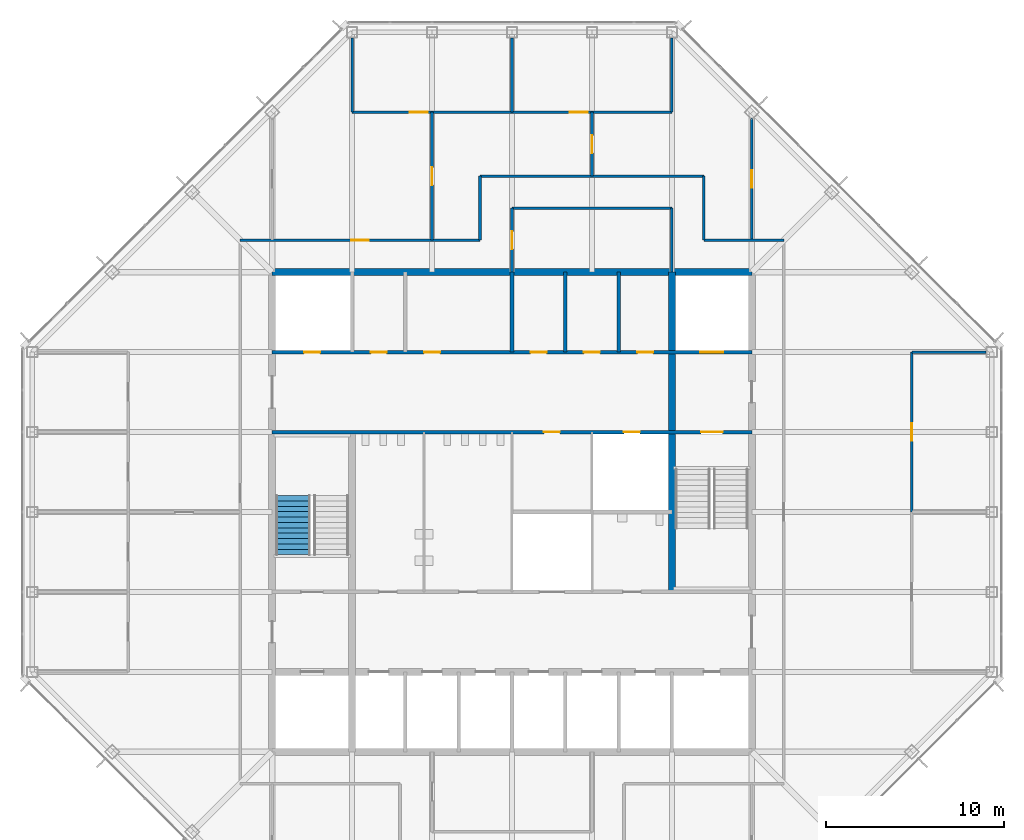
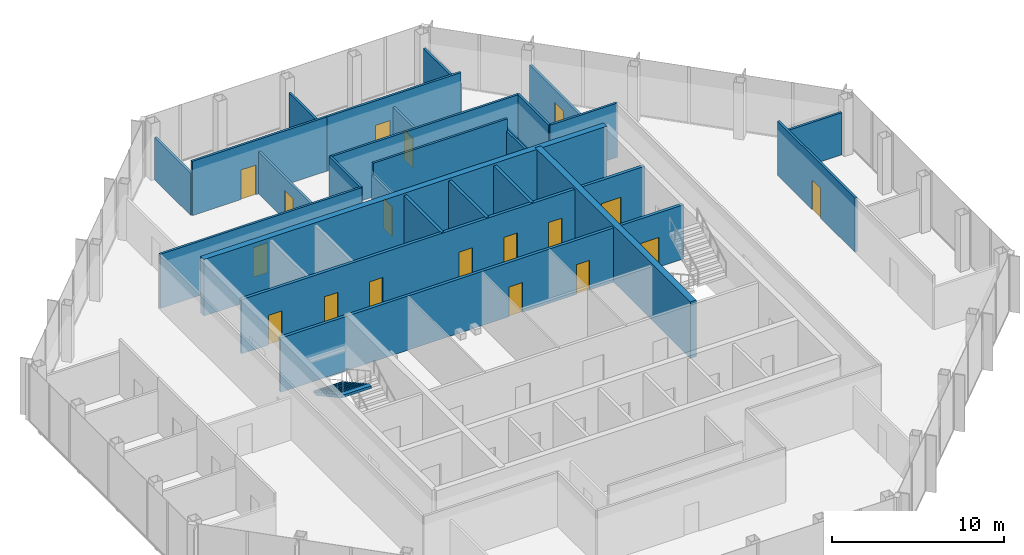
# One storey, part 11 of 14: 25 walls, 18 doors, 1 stair flight, 18 openings, 1 element without a shape of its own.
"""IFC4 building model written with IfcOpenShell, lengths in metres."""

from ifc_helpers import new_model, si_unit, direction, frame, frame_2d, origin, place, context, subcontext, project, spatial, polyline, rectangle, outline, extrude, material, layer, layer_set, type_object, element, fill, aggregate, save


model = new_model("IFC4")

# Units and contexts
model_context = context("Model", 3, precision=1e-05, world=origin(), true_north=direction((0.0, 1.0)))
body_context = subcontext(model_context, "Body", "Model", "MODEL_VIEW")
ifc_project = project(units=[si_unit("LENGTHUNIT", "METRE"), si_unit("AREAUNIT", "SQUARE_METRE"), si_unit("VOLUMEUNIT", "CUBIC_METRE"), si_unit("PLANEANGLEUNIT", "RADIAN"), si_unit("MASSUNIT", "GRAM", prefix="KILO")], contexts=[model_context])

# Site, building, storey
site_placement = place(None, origin())
site = spatial("IfcSite", under=ifc_project, at=site_placement, CompositionType="ELEMENT")
building_placement = place(site_placement, origin())
building = spatial("IfcBuilding", under=site, at=building_placement, Name="Corais Broadcast Tower", CompositionType="ELEMENT")
storey_placement = place(building_placement, frame((0.0, 0.0, 266.60009765625)))
storey = spatial("IfcBuildingStorey", under=building, at=storey_placement, Name="L62", CompositionType="ELEMENT", Elevation=266.60009765625)

# Wall, openings, doors
ifc_material_1 = material(Name="Concrete blockwork class A, grouted, two-hour", Category="masonry")
ifc_layer_1 = layer(ifc_material_1, 0.199951171875)
ifc_layer_set_1 = layer_set([ifc_layer_1], Name="Concrete blockwork class A, grouted, two-hour")
wall_type_1 = type_object("IfcWallType", Name="Core lobby wall 200", PredefinedType="SOLIDWALL", material=ifc_layer_set_1)
wall_1_placement = place(storey_placement, frame((13.5, 31.5, 0.0), z_axis=(0.0, 0.0, 1.0), x_axis=(1.0, 0.0, 0.0)))
wall_1 = element("IfcWall", 1, at=wall_1_placement, inside=storey, type_object=wall_type_1, Name="CL3 core lobby wall Y315 L62", PredefinedType="SOLIDWALL", context=body_context, shape_type="SweptSolid", body=[
    extrude(rectangle(XDim=27.0, YDim=0.199951171875, at=frame_2d((13.5, 0.0))), origin(), (0.0, 0.0, 1.0), 3.83984375),
])
opening_1_placement = place(wall_1_placement, frame((24.14990234375, 0.0, 0.0)))
opening_1 = element("IfcOpeningElement", 2, at=opening_1_placement, cuts=wall_1, Name="Opening FD1", PredefinedType="OPENING", context=body_context, shape_type="SweptSolid", body=[
    extrude(rectangle(XDim=1.199951171875, YDim=2.10009765625, at=frame_2d((0.60009765625, 1.050048828125))), frame((0.0, 0.10986328125, 0.0), z_axis=(0.0, -1.0, 0.0), x_axis=(1.0, 0.0, 0.0)), (0.0, 0.0, 1.0), 0.219970703125),
])
opening_2_placement = place(wall_1_placement, frame((15.300048828125, 0.0, 0.0)))
opening_2 = element("IfcOpeningElement", 3, at=opening_2_placement, cuts=wall_1, Name="Opening RD1", PredefinedType="OPENING", context=body_context, shape_type="SweptSolid", body=[
    extrude(rectangle(XDim=0.89990234375, YDim=2.10009765625, at=frame_2d((0.449951171875, 1.050048828125))), frame((0.0, 0.10986328125, 0.0), z_axis=(0.0, -1.0, 0.0), x_axis=(1.0, 0.0, 0.0)), (0.0, 0.0, 1.0), 0.219970703125),
])
opening_3_placement = place(wall_1_placement, frame((19.800048828125, 0.0, 0.0)))
opening_3 = element("IfcOpeningElement", 4, at=opening_3_placement, cuts=wall_1, Name="Opening RD1", PredefinedType="OPENING", context=body_context, shape_type="SweptSolid", body=[
    extrude(rectangle(XDim=0.89990234375, YDim=2.10009765625, at=frame_2d((0.449951171875, 1.050048828125))), frame((0.0, 0.10986328125, 0.0), z_axis=(0.0, -1.0, 0.0), x_axis=(1.0, 0.0, 0.0)), (0.0, 0.0, 1.0), 0.219970703125),
])
ifc_material_2 = material(Name="Steel fire door", Category="steel")
door_type_1 = type_object("IfcDoorType", Name="Fire door 1200x2100", OperationType="SINGLE_SWING_LEFT", PredefinedType="DOOR", material=ifc_material_2)
door_1_placement = place(opening_1_placement, origin())
door_1 = element("IfcDoor", 5, at=door_1_placement, inside=storey, type_object=door_type_1, Name="FD1 stair B door L62", OperationType="SINGLE_SWING_RIGHT", OverallHeight=2.10009765625, OverallWidth=1.199951171875, PredefinedType="DOOR", context=body_context, shape_type="SweptSolid", body=[
    extrude(rectangle(XDim=1.199951171875, YDim=2.10009765625, at=frame_2d((0.60009765625, 1.050048828125))), frame((0.0, 0.02490234375, 0.0), z_axis=(0.0, -1.0, 0.0), x_axis=(1.0, 0.0, 0.0)), (0.0, 0.0, 1.0), 0.050048828125),
])
fill(opening_1, door_1)
ifc_material_3 = material(Name="Steel fire door", Category="steel")
door_type_2 = type_object("IfcDoorType", Name="Riser door 900x2100", OperationType="SINGLE_SWING_LEFT", PredefinedType="DOOR", material=ifc_material_3)
door_2_placement = place(opening_2_placement, origin())
door_2 = element("IfcDoor", 6, at=door_2_placement, inside=storey, type_object=door_type_2, Name="RD1 print room door L62", OperationType="SINGLE_SWING_RIGHT", OverallHeight=2.10009765625, OverallWidth=0.89990234375, PredefinedType="DOOR", context=body_context, shape_type="SweptSolid", body=[
    extrude(rectangle(XDim=0.89990234375, YDim=2.10009765625, at=frame_2d((0.449951171875, 1.050048828125))), frame((0.0, 0.02490234375, 0.0), z_axis=(0.0, -1.0, 0.0), x_axis=(1.0, 0.0, 0.0)), (0.0, 0.0, 1.0), 0.050048828125),
])
fill(opening_2, door_2)
door_3_placement = place(opening_3_placement, origin())
door_3 = element("IfcDoor", 7, at=door_3_placement, inside=storey, type_object=door_type_2, Name="RD1 riser door L62", OperationType="SINGLE_SWING_RIGHT", OverallHeight=2.10009765625, OverallWidth=0.89990234375, PredefinedType="DOOR", context=body_context, shape_type="SweptSolid", body=[
    extrude(rectangle(XDim=0.89990234375, YDim=2.10009765625, at=frame_2d((0.449951171875, 1.050048828125))), frame((0.0, 0.02490234375, 0.0), z_axis=(0.0, -1.0, 0.0), x_axis=(1.0, 0.0, 0.0)), (0.0, 0.0, 1.0), 0.050048828125),
])
fill(opening_3, door_3)

# Walls
ifc_material_4 = material(Name="Concrete C50/60", Category="concrete")
ifc_layer_2 = layer(ifc_material_4, 0.39990234375)
ifc_layer_set_2 = layer_set([ifc_layer_2], Name="Concrete C50/60")
wall_type_2 = type_object("IfcWallType", Name="Core wall 400", PredefinedType="SHEAR", material=ifc_layer_set_2)
wall_2_placement = place(storey_placement, frame((40.5, 40.5, 0.0), z_axis=(0.0, 0.0, 1.0), x_axis=(-1.0, 0.0, 0.0)))
element("IfcWall", 8, at=wall_2_placement, inside=storey, type_object=wall_type_2, Name="CR400 core wall N L62", PredefinedType="SHEAR", context=body_context, shape_type="SweptSolid", body=[
    extrude(rectangle(XDim=27.0, YDim=0.39990234375, at=frame_2d((13.5, 0.0))), origin(), (0.0, 0.0, 1.0), 4.0),
])
wall_3_placement = place(storey_placement, frame((36.0, 22.5, 0.0), z_axis=(0.0, 0.0, 1.0), x_axis=(0.0, 1.0, 0.0)))
element("IfcWall", 9, at=wall_3_placement, inside=storey, type_object=wall_type_2, Name="CR400 core wall X36B L62", PredefinedType="SHEAR", context=body_context, shape_type="SweptSolid", body=[
    extrude(rectangle(XDim=18.0, YDim=0.39990234375, at=frame_2d((9.0, 0.0))), origin(), (0.0, 0.0, 1.0), 4.0),
])

# Wall, openings, doors
ifc_material_5 = material(Name="Concrete blockwork class A, grouted, four-hour", Category="masonry")
ifc_layer_3 = layer(ifc_material_5, 0.199951171875)
ifc_layer_set_3 = layer_set([ifc_layer_3], Name="Concrete blockwork class A, grouted, four-hour")
wall_type_3 = type_object("IfcWallType", Name="Emergency lift shaft wall 200", PredefinedType="SOLIDWALL", material=ifc_layer_set_3)
wall_4_placement = place(storey_placement, frame((13.5, 36.0, 0.0), z_axis=(0.0, 0.0, 1.0), x_axis=(1.0, 0.0, 0.0)))
wall_4 = element("IfcWall", 10, at=wall_4_placement, inside=storey, type_object=wall_type_3, Name="LS3 core lobby wall Y36 L62", PredefinedType="SOLIDWALL", context=body_context, shape_type="SweptSolid", body=[
    extrude(rectangle(XDim=27.0, YDim=0.199951171875, at=frame_2d((13.5, 0.0))), origin(), (0.0, 0.0, 1.0), 3.83984375),
])
opening_4_placement = place(wall_4_placement, frame((1.800048828125, 0.0, 0.0)))
opening_4 = element("IfcOpeningElement", 11, at=opening_4_placement, cuts=wall_4, Name="Opening RD1", PredefinedType="OPENING", context=body_context, shape_type="SweptSolid", body=[
    extrude(rectangle(XDim=0.89990234375, YDim=2.10009765625, at=frame_2d((0.449951171875, 1.050048828125))), frame((0.0, 0.10986328125, 0.0), z_axis=(0.0, -1.0, 0.0), x_axis=(1.0, 0.0, 0.0)), (0.0, 0.0, 1.0), 0.219970703125),
])
opening_5_placement = place(wall_4_placement, frame((5.550048828125, 0.0, 0.0)))
opening_5 = element("IfcOpeningElement", 12, at=opening_5_placement, cuts=wall_4, Name="Opening RD1", PredefinedType="OPENING", context=body_context, shape_type="SweptSolid", body=[
    extrude(rectangle(XDim=0.89990234375, YDim=2.10009765625, at=frame_2d((0.449951171875, 1.050048828125))), frame((0.0, 0.10986328125, 0.0), z_axis=(0.0, -1.0, 0.0), x_axis=(1.0, 0.0, 0.0)), (0.0, 0.0, 1.0), 0.219970703125),
])
opening_6_placement = place(wall_4_placement, frame((8.550048828125, 0.0, 0.0)))
opening_6 = element("IfcOpeningElement", 13, at=opening_6_placement, cuts=wall_4, Name="Opening RD1", PredefinedType="OPENING", context=body_context, shape_type="SweptSolid", body=[
    extrude(rectangle(XDim=0.89990234375, YDim=2.10009765625, at=frame_2d((0.449951171875, 1.050048828125))), frame((0.0, 0.10986328125, 0.0), z_axis=(0.0, -1.0, 0.0), x_axis=(1.0, 0.0, 0.0)), (0.0, 0.0, 1.0), 0.219970703125),
])
opening_7_placement = place(wall_4_placement, frame((14.550048828125, 0.0, 0.0)))
opening_7 = element("IfcOpeningElement", 14, at=opening_7_placement, cuts=wall_4, Name="Opening RD1", PredefinedType="OPENING", context=body_context, shape_type="SweptSolid", body=[
    extrude(rectangle(XDim=0.89990234375, YDim=2.10009765625, at=frame_2d((0.449951171875, 1.050048828125))), frame((0.0, 0.10986328125, 0.0), z_axis=(0.0, -1.0, 0.0), x_axis=(1.0, 0.0, 0.0)), (0.0, 0.0, 1.0), 0.219970703125),
])
opening_8_placement = place(wall_4_placement, frame((17.550048828125, 0.0, 0.0)))
opening_8 = element("IfcOpeningElement", 15, at=opening_8_placement, cuts=wall_4, Name="Opening RD1", PredefinedType="OPENING", context=body_context, shape_type="SweptSolid", body=[
    extrude(rectangle(XDim=0.89990234375, YDim=2.10009765625, at=frame_2d((0.449951171875, 1.050048828125))), frame((0.0, 0.10986328125, 0.0), z_axis=(0.0, -1.0, 0.0), x_axis=(1.0, 0.0, 0.0)), (0.0, 0.0, 1.0), 0.219970703125),
])
opening_9_placement = place(wall_4_placement, frame((20.550048828125, 0.0, 0.0)))
opening_9 = element("IfcOpeningElement", 16, at=opening_9_placement, cuts=wall_4, Name="Opening RD1", PredefinedType="OPENING", context=body_context, shape_type="SweptSolid", body=[
    extrude(rectangle(XDim=0.89990234375, YDim=2.10009765625, at=frame_2d((0.449951171875, 1.050048828125))), frame((0.0, 0.10986328125, 0.0), z_axis=(0.0, -1.0, 0.0), x_axis=(1.0, 0.0, 0.0)), (0.0, 0.0, 1.0), 0.219970703125),
])
opening_10_placement = place(wall_4_placement, frame((24.10009765625, 0.0, 0.0)))
opening_10 = element("IfcOpeningElement", 17, at=opening_10_placement, cuts=wall_4, Name="Opening LD2", PredefinedType="OPENING", context=body_context, shape_type="SweptSolid", body=[
    extrude(rectangle(XDim=1.300048828125, YDim=2.199951171875, at=frame_2d((0.64990234375, 1.10009765625))), frame((0.0, 0.10986328125, 0.0), z_axis=(0.0, -1.0, 0.0), x_axis=(1.0, 0.0, 0.0)), (0.0, 0.0, 1.0), 0.219970703125),
])
ifc_material_6 = material(Name="Stainless steel lift door", Category="steel")
door_type_3 = type_object("IfcDoorType", Name="Lift landing door 1300x2200", OperationType="SLIDING_TO_LEFT", PredefinedType="DOOR", material=ifc_material_6)
door_4_placement = place(opening_10_placement, origin())
door_4 = element("IfcDoor", 18, at=door_4_placement, inside=storey, type_object=door_type_3, Name="LD2 FL2 landing door L62", OperationType="SLIDING_TO_LEFT", OverallHeight=2.199951171875, OverallWidth=1.300048828125, PredefinedType="DOOR", context=body_context, shape_type="SweptSolid", body=[
    extrude(rectangle(XDim=1.300048828125, YDim=2.199951171875, at=frame_2d((0.64990234375, 1.10009765625))), frame((0.0, 0.02490234375, 0.0), z_axis=(0.0, -1.0, 0.0), x_axis=(1.0, 0.0, 0.0)), (0.0, 0.0, 1.0), 0.050048828125),
])
fill(opening_10, door_4)
door_5_placement = place(opening_4_placement, origin())
door_5 = element("IfcDoor", 19, at=door_5_placement, inside=storey, type_object=door_type_2, Name="RD1 riser door L62", OperationType="SINGLE_SWING_LEFT", OverallHeight=2.10009765625, OverallWidth=0.89990234375, PredefinedType="DOOR", context=body_context, shape_type="SweptSolid", body=[
    extrude(rectangle(XDim=0.89990234375, YDim=2.10009765625, at=frame_2d((0.449951171875, 1.050048828125))), frame((0.0, 0.02490234375, 0.0), z_axis=(0.0, -1.0, 0.0), x_axis=(1.0, 0.0, 0.0)), (0.0, 0.0, 1.0), 0.050048828125),
])
fill(opening_4, door_5)
door_6_placement = place(opening_5_placement, origin())
door_6 = element("IfcDoor", 20, at=door_6_placement, inside=storey, type_object=door_type_2, Name="RD1 stationery store door L62", OperationType="SINGLE_SWING_LEFT", OverallHeight=2.10009765625, OverallWidth=0.89990234375, PredefinedType="DOOR", context=body_context, shape_type="SweptSolid", body=[
    extrude(rectangle(XDim=0.89990234375, YDim=2.10009765625, at=frame_2d((0.449951171875, 1.050048828125))), frame((0.0, 0.02490234375, 0.0), z_axis=(0.0, -1.0, 0.0), x_axis=(1.0, 0.0, 0.0)), (0.0, 0.0, 1.0), 0.050048828125),
])
fill(opening_5, door_6)
door_7_placement = place(opening_6_placement, origin())
door_7 = element("IfcDoor", 21, at=door_7_placement, inside=storey, type_object=door_type_2, Name="RD1 vending room door L62", OperationType="SINGLE_SWING_LEFT", OverallHeight=2.10009765625, OverallWidth=0.89990234375, PredefinedType="DOOR", context=body_context, shape_type="SweptSolid", body=[
    extrude(rectangle(XDim=0.89990234375, YDim=2.10009765625, at=frame_2d((0.449951171875, 1.050048828125))), frame((0.0, 0.02490234375, 0.0), z_axis=(0.0, -1.0, 0.0), x_axis=(1.0, 0.0, 0.0)), (0.0, 0.0, 1.0), 0.050048828125),
])
fill(opening_6, door_7)
door_8_placement = place(opening_7_placement, origin())
door_8 = element("IfcDoor", 22, at=door_8_placement, inside=storey, type_object=door_type_2, Name="RD1 av equipment room door L62", OperationType="SINGLE_SWING_RIGHT", OverallHeight=2.10009765625, OverallWidth=0.89990234375, PredefinedType="DOOR", context=body_context, shape_type="SweptSolid", body=[
    extrude(rectangle(XDim=0.89990234375, YDim=2.10009765625, at=frame_2d((0.449951171875, 1.050048828125))), frame((0.0, 0.02490234375, 0.0), z_axis=(0.0, -1.0, 0.0), x_axis=(1.0, 0.0, 0.0)), (0.0, 0.0, 1.0), 0.050048828125),
])
fill(opening_7, door_8)
door_9_placement = place(opening_8_placement, origin())
door_9 = element("IfcDoor", 23, at=door_9_placement, inside=storey, type_object=door_type_2, Name="RD1 media store door L62", OperationType="SINGLE_SWING_RIGHT", OverallHeight=2.10009765625, OverallWidth=0.89990234375, PredefinedType="DOOR", context=body_context, shape_type="SweptSolid", body=[
    extrude(rectangle(XDim=0.89990234375, YDim=2.10009765625, at=frame_2d((0.449951171875, 1.050048828125))), frame((0.0, 0.02490234375, 0.0), z_axis=(0.0, -1.0, 0.0), x_axis=(1.0, 0.0, 0.0)), (0.0, 0.0, 1.0), 0.050048828125),
])
fill(opening_8, door_9)
door_10_placement = place(opening_9_placement, origin())
door_10 = element("IfcDoor", 24, at=door_10_placement, inside=storey, type_object=door_type_2, Name="RD1 tea point door L62", OperationType="SINGLE_SWING_RIGHT", OverallHeight=2.10009765625, OverallWidth=0.89990234375, PredefinedType="DOOR", context=body_context, shape_type="SweptSolid", body=[
    extrude(rectangle(XDim=0.89990234375, YDim=2.10009765625, at=frame_2d((0.449951171875, 1.050048828125))), frame((0.0, 0.02490234375, 0.0), z_axis=(0.0, -1.0, 0.0), x_axis=(1.0, 0.0, 0.0)), (0.0, 0.0, 1.0), 0.050048828125),
])
fill(opening_9, door_10)

# Wall, opening, door
ifc_material_7 = material(Name="Gypsum board on steel studs", Category="steel")
ifc_layer_4 = layer(ifc_material_7, 0.14990234375)
ifc_layer_set_4 = layer_set([ifc_layer_4], Name="Gypsum board on steel studs")
wall_type_4 = type_object("IfcWallType", Name="Partition 150", PredefinedType="PARTITIONING", material=ifc_layer_set_4)
wall_5_placement = place(storey_placement, frame((25.199951171875, 42.300048828125, 0.0), z_axis=(0.0, 0.0, 1.0), x_axis=(-1.0, 0.0, 0.0)))
wall_5 = element("IfcWall", 25, at=wall_5_placement, inside=storey, type_object=wall_type_4, Name="IW3 corridor wall L62", PredefinedType="PARTITIONING", context=body_context, shape_type="SweptSolid", body=[
    extrude(rectangle(XDim=13.5, YDim=0.14990234375, at=frame_2d((6.75, 0.0))), origin(), (0.0, 0.0, 1.0), 3.83984375),
])
opening_11_placement = place(wall_5_placement, frame((6.25, 0.0, 0.0)))
opening_11 = element("IfcOpeningElement", 26, at=opening_11_placement, cuts=wall_5, Name="Opening D1", PredefinedType="OPENING", context=body_context, shape_type="SweptSolid", body=[
    extrude(rectangle(XDim=1.0, YDim=2.10009765625, at=frame_2d((0.5, 1.050048828125))), frame((0.0, 0.0849609375, 0.0), z_axis=(0.0, -1.0, 0.0), x_axis=(1.0, 0.0, 0.0)), (0.0, 0.0, 1.0), 0.169921875),
])
ifc_material_8 = material(Name="Timber door", Category="wood")
door_type_4 = type_object("IfcDoorType", Name="Single door 1000x2100", OperationType="SINGLE_SWING_LEFT", PredefinedType="DOOR", material=ifc_material_8)
door_11_placement = place(opening_11_placement, origin())
door_11 = element("IfcDoor", 27, at=door_11_placement, inside=storey, type_object=door_type_4, Name="D1 workplace door L62", OperationType="SINGLE_SWING_LEFT", OverallHeight=2.10009765625, OverallWidth=1.0, PredefinedType="DOOR", context=body_context, shape_type="SweptSolid", body=[
    extrude(rectangle(XDim=1.0, YDim=2.10009765625, at=frame_2d((0.5, 1.050048828125))), frame((0.0, 0.02490234375, 0.0), z_axis=(0.0, -1.0, 0.0), x_axis=(1.0, 0.0, 0.0)), (0.0, 0.0, 1.0), 0.050048828125),
])
fill(opening_11, door_11)

# Walls
wall_6_placement = place(storey_placement, frame((37.800048828125, 45.89990234375, 0.0), z_axis=(0.0, 0.0, 1.0), x_axis=(-1.0, 0.0, 0.0)))
element("IfcWall", 28, at=wall_6_placement, inside=storey, type_object=wall_type_4, Name="IW3 corridor wall L62", PredefinedType="PARTITIONING", context=body_context, shape_type="SweptSolid", body=[
    extrude(rectangle(XDim=12.60009765625, YDim=0.14990234375, at=frame_2d((6.300048828125, 0.0))), origin(), (0.0, 0.0, 1.0), 3.83984375),
])
wall_7_placement = place(storey_placement, frame((42.300048828125, 42.300048828125, 0.0), z_axis=(0.0, 0.0, 1.0), x_axis=(-1.0, 0.0, 0.0)))
element("IfcWall", 29, at=wall_7_placement, inside=storey, type_object=wall_type_4, Name="IW3 corridor wall L62", PredefinedType="PARTITIONING", context=body_context, shape_type="SweptSolid", body=[
    extrude(rectangle(XDim=4.5, YDim=0.14990234375, at=frame_2d((2.25, 0.0))), origin(), (0.0, 0.0, 1.0), 3.83984375),
])
for number, where, z_axis, x_axis, name in (
    (30, (25.199951171875, 45.89990234375, 0.0), (0.0, 0.0, 1.0), (0.0, -1.0, 0.0), "IW3 corridor wall L62"),
    (31, (37.800048828125, 42.300048828125, 0.0), (0.0, 0.0, 1.0), (0.0, 1.0, 0.0), "IW3 corridor wall L62"),
):
    element("IfcWall", number, at=place(storey_placement, frame(where, z_axis=z_axis, x_axis=x_axis)), inside=storey, type_object=wall_type_4, Name=name, PredefinedType="PARTITIONING", context=body_context, shape_type="SweptSolid", body=[
        extrude(rectangle(XDim=3.599853515625, YDim=0.14990234375, at=frame_2d((1.7998046875, 0.0))), origin(), (0.0, 0.0, 1.0), 3.83984375),
    ])
wall_8_placement = place(storey_placement, frame((53.68994140625, 36.0, 0.0), z_axis=(0.0, 0.0, 1.0), x_axis=(-1.0, 0.0, 0.0)))
element("IfcWall", 32, at=wall_8_placement, inside=storey, type_object=wall_type_4, Name="IW3 partition L62", PredefinedType="PARTITIONING", context=body_context, shape_type="SweptSolid", body=[
    extrude(rectangle(XDim=4.18994140625, YDim=0.14990234375, at=frame_2d((2.094970703125, 0.0))), origin(), (0.0, 0.0, 1.0), 2.989013671875),
])

# Wall, opening, door
wall_9_placement = place(storey_placement, frame((49.5, 36.0, 0.0), z_axis=(0.0, 0.0, 1.0), x_axis=(0.0, -1.0, 0.0)))
wall_9 = element("IfcWall", 33, at=wall_9_placement, inside=storey, type_object=wall_type_4, Name="IW3 partition L62", PredefinedType="PARTITIONING", context=body_context, shape_type="SweptSolid", body=[
    extrude(rectangle(XDim=9.0, YDim=0.14990234375, at=frame_2d((4.5, 0.0))), origin(), (0.0, 0.0, 1.0), 3.83984375),
])
opening_12_placement = place(wall_9_placement, frame((4.0, 0.0, 0.0)))
opening_12 = element("IfcOpeningElement", 34, at=opening_12_placement, cuts=wall_9, Name="Opening D1", PredefinedType="OPENING", context=body_context, shape_type="SweptSolid", body=[
    extrude(rectangle(XDim=1.0, YDim=2.10009765625, at=frame_2d((0.5, 1.050048828125))), frame((0.0, 0.0849609375, 0.0), z_axis=(0.0, -1.0, 0.0), x_axis=(1.0, 0.0, 0.0)), (0.0, 0.0, 1.0), 0.169921875),
])
door_12_placement = place(opening_12_placement, origin())
door_12 = element("IfcDoor", 35, at=door_12_placement, inside=storey, type_object=door_type_4, Name="D1 Client meeting room door", OperationType="SINGLE_SWING_LEFT", OverallHeight=2.10009765625, OverallWidth=1.0, PredefinedType="DOOR", context=body_context, shape_type="SweptSolid", body=[
    extrude(rectangle(XDim=1.0, YDim=2.10009765625, at=frame_2d((0.5, 1.050048828125))), frame((0.0, 0.02490234375, 0.0), z_axis=(0.0, -1.0, 0.0), x_axis=(1.0, 0.0, 0.0)), (0.0, 0.0, 1.0), 0.050048828125),
])
fill(opening_12, door_12)

# Walls
wall_10_placement = place(storey_placement, frame((36.0, 40.5, 0.0), z_axis=(0.0, 0.0, 1.0), x_axis=(0.0, 1.0, 0.0)))
element("IfcWall", 36, at=wall_10_placement, inside=storey, type_object=wall_type_4, Name="IW3 partition L62", PredefinedType="PARTITIONING", context=body_context, shape_type="SweptSolid", body=[
    extrude(rectangle(XDim=3.60009765625, YDim=0.14990234375, at=frame_2d((1.800048828125, 0.0))), origin(), (0.0, 0.0, 1.0), 2.989013671875),
])
wall_11_placement = place(storey_placement, frame((36.0, 44.10009765625, 0.0), z_axis=(0.0, 0.0, 1.0), x_axis=(-1.0, 0.0, 0.0)))
element("IfcWall", 37, at=wall_11_placement, inside=storey, type_object=wall_type_4, Name="IW3 partition L62", PredefinedType="PARTITIONING", context=body_context, shape_type="SweptSolid", body=[
    extrude(rectangle(XDim=9.0, YDim=0.14990234375, at=frame_2d((4.5, 0.0))), origin(), (0.0, 0.0, 1.0), 3.83984375),
])

# Wall, opening, door
wall_12_placement = place(storey_placement, frame((27.0, 44.10009765625, 0.0), z_axis=(0.0, 0.0, 1.0), x_axis=(0.0, -1.0, 0.0)))
wall_12 = element("IfcWall", 38, at=wall_12_placement, inside=storey, type_object=wall_type_4, Name="IW3 partition L62", PredefinedType="PARTITIONING", context=body_context, shape_type="SweptSolid", body=[
    extrude(rectangle(XDim=3.60009765625, YDim=0.14990234375, at=frame_2d((1.800048828125, 0.0))), origin(), (0.0, 0.0, 1.0), 2.989013671875),
])
opening_13_placement = place(wall_12_placement, frame((1.300048828125, 0.0, 0.0)))
opening_13 = element("IfcOpeningElement", 39, at=opening_13_placement, cuts=wall_12, Name="Opening D1", PredefinedType="OPENING", context=body_context, shape_type="SweptSolid", body=[
    extrude(rectangle(XDim=1.0, YDim=2.10009765625, at=frame_2d((0.5, 1.050048828125))), frame((0.0, 0.0849609375, 0.0), z_axis=(0.0, -1.0, 0.0), x_axis=(1.0, 0.0, 0.0)), (0.0, 0.0, 1.0), 0.169921875),
])
door_13_placement = place(opening_13_placement, origin())
door_13 = element("IfcDoor", 40, at=door_13_placement, inside=storey, type_object=door_type_4, Name="D1 Pantry door", OperationType="SINGLE_SWING_LEFT", OverallHeight=2.10009765625, OverallWidth=1.0, PredefinedType="DOOR", context=body_context, shape_type="SweptSolid", body=[
    extrude(rectangle(XDim=1.0, YDim=2.10009765625, at=frame_2d((0.5, 1.050048828125))), frame((0.0, 0.02490234375, 0.0), z_axis=(0.0, -1.0, 0.0), x_axis=(1.0, 0.0, 0.0)), (0.0, 0.0, 1.0), 0.050048828125),
])
fill(opening_13, door_13)

wall_13_placement = place(storey_placement, frame((18.0, 49.5, 0.0), z_axis=(0.0, 0.0, 1.0), x_axis=(1.0, 0.0, 0.0)))
wall_13 = element("IfcWall", 41, at=wall_13_placement, inside=storey, type_object=wall_type_4, Name="IW3 partition L62", PredefinedType="PARTITIONING", context=body_context, shape_type="SweptSolid", body=[
    extrude(rectangle(XDim=9.0, YDim=0.14990234375, at=frame_2d((4.5, 0.0))), origin(), (0.0, 0.0, 1.0), 3.83984375),
])
opening_14_placement = place(wall_13_placement, frame((3.25, 0.0, 0.0)))
opening_14 = element("IfcOpeningElement", 42, at=opening_14_placement, cuts=wall_13, Name="Opening D1", PredefinedType="OPENING", context=body_context, shape_type="SweptSolid", body=[
    extrude(rectangle(XDim=1.0, YDim=2.10009765625, at=frame_2d((0.5, 1.050048828125))), frame((0.0, 0.0849609375, 0.0), z_axis=(0.0, -1.0, 0.0), x_axis=(1.0, 0.0, 0.0)), (0.0, 0.0, 1.0), 0.169921875),
])
door_14_placement = place(opening_14_placement, origin())
door_14 = element("IfcDoor", 43, at=door_14_placement, inside=storey, type_object=door_type_4, Name="D1 Client lounge door", OperationType="SINGLE_SWING_LEFT", OverallHeight=2.10009765625, OverallWidth=1.0, PredefinedType="DOOR", context=body_context, shape_type="SweptSolid", body=[
    extrude(rectangle(XDim=1.0, YDim=2.10009765625, at=frame_2d((0.5, 1.050048828125))), frame((0.0, 0.02490234375, 0.0), z_axis=(0.0, -1.0, 0.0), x_axis=(1.0, 0.0, 0.0)), (0.0, 0.0, 1.0), 0.050048828125),
])
fill(opening_14, door_14)

# Walls
for number, where, z_axis, x_axis, name in (
    (44, (27.0, 49.5, 0.0), (0.0, 0.0, 1.0), (0.0, 1.0, 0.0), "IW3 partition L62"),
    (45, (18.0, 53.68994140625, 0.0), (0.0, 0.0, 1.0), (0.0, -1.0, 0.0), "IW3 partition L62"),
):
    element("IfcWall", number, at=place(storey_placement, frame(where, z_axis=z_axis, x_axis=x_axis)), inside=storey, type_object=wall_type_4, Name=name, PredefinedType="PARTITIONING", context=body_context, shape_type="SweptSolid", body=[
        extrude(rectangle(XDim=4.18994140625, YDim=0.14990234375, at=frame_2d((2.094970703125, 0.0))), origin(), (0.0, 0.0, 1.0), 2.989013671875),
    ])

# Wall, opening, door
wall_14_placement = place(storey_placement, frame((27.0, 49.5, 0.0), z_axis=(0.0, 0.0, 1.0), x_axis=(1.0, 0.0, 0.0)))
wall_14 = element("IfcWall", 46, at=wall_14_placement, inside=storey, type_object=wall_type_4, Name="IW3 partition L62", PredefinedType="PARTITIONING", context=body_context, shape_type="SweptSolid", body=[
    extrude(rectangle(XDim=9.0, YDim=0.14990234375, at=frame_2d((4.5, 0.0))), origin(), (0.0, 0.0, 1.0), 3.83984375),
])
opening_15_placement = place(wall_14_placement, frame((3.25, 0.0, 0.0)))
opening_15 = element("IfcOpeningElement", 47, at=opening_15_placement, cuts=wall_14, Name="Opening D1", PredefinedType="OPENING", context=body_context, shape_type="SweptSolid", body=[
    extrude(rectangle(XDim=1.0, YDim=2.10009765625, at=frame_2d((0.5, 1.050048828125))), frame((0.0, 0.0849609375, 0.0), z_axis=(0.0, -1.0, 0.0), x_axis=(1.0, 0.0, 0.0)), (0.0, 0.0, 1.0), 0.169921875),
])
door_15_placement = place(opening_15_placement, origin())
door_15 = element("IfcDoor", 48, at=door_15_placement, inside=storey, type_object=door_type_4, Name="D1 Client lounge door", OperationType="SINGLE_SWING_LEFT", OverallHeight=2.10009765625, OverallWidth=1.0, PredefinedType="DOOR", context=body_context, shape_type="SweptSolid", body=[
    extrude(rectangle(XDim=1.0, YDim=2.10009765625, at=frame_2d((0.5, 1.050048828125))), frame((0.0, 0.02490234375, 0.0), z_axis=(0.0, -1.0, 0.0), x_axis=(1.0, 0.0, 0.0)), (0.0, 0.0, 1.0), 0.050048828125),
])
fill(opening_15, door_15)

# Wall
wall_15_placement = place(storey_placement, frame((36.0, 49.5, 0.0), z_axis=(0.0, 0.0, 1.0), x_axis=(0.0, 1.0, 0.0)))
element("IfcWall", 49, at=wall_15_placement, inside=storey, type_object=wall_type_4, Name="IW3 partition L62", PredefinedType="PARTITIONING", context=body_context, shape_type="SweptSolid", body=[
    extrude(rectangle(XDim=4.18994140625, YDim=0.14990234375, at=frame_2d((2.094970703125, 0.0))), origin(), (0.0, 0.0, 1.0), 2.989013671875),
])

# Wall, opening, door
wall_16_placement = place(storey_placement, frame((22.5, 49.5, 0.0), z_axis=(0.0, 0.0, 1.0), x_axis=(0.0, -1.0, 0.0)))
wall_16 = element("IfcWall", 50, at=wall_16_placement, inside=storey, type_object=wall_type_4, Name="IW3 partition L62", PredefinedType="PARTITIONING", context=body_context, shape_type="SweptSolid", body=[
    extrude(rectangle(XDim=7.199951171875, YDim=0.14990234375, at=frame_2d((3.60009765625, 0.0))), origin(), (0.0, 0.0, 1.0), 2.989013671875),
])
opening_16_placement = place(wall_16_placement, frame((3.10009765625, 0.0, 0.0)))
opening_16 = element("IfcOpeningElement", 51, at=opening_16_placement, cuts=wall_16, Name="Opening D1", PredefinedType="OPENING", context=body_context, shape_type="SweptSolid", body=[
    extrude(rectangle(XDim=1.0, YDim=2.10009765625, at=frame_2d((0.5, 1.050048828125))), frame((0.0, 0.0849609375, 0.0), z_axis=(0.0, -1.0, 0.0), x_axis=(1.0, 0.0, 0.0)), (0.0, 0.0, 1.0), 0.169921875),
])
door_16_placement = place(opening_16_placement, origin())
door_16 = element("IfcDoor", 52, at=door_16_placement, inside=storey, type_object=door_type_4, Name="D1 team room door L62", OperationType="SINGLE_SWING_LEFT", OverallHeight=2.10009765625, OverallWidth=1.0, PredefinedType="DOOR", context=body_context, shape_type="SweptSolid", body=[
    extrude(rectangle(XDim=1.0, YDim=2.10009765625, at=frame_2d((0.5, 1.050048828125))), frame((0.0, 0.02490234375, 0.0), z_axis=(0.0, -1.0, 0.0), x_axis=(1.0, 0.0, 0.0)), (0.0, 0.0, 1.0), 0.050048828125),
])
fill(opening_16, door_16)

wall_17_placement = place(storey_placement, frame((40.5, 42.300048828125, 0.0), z_axis=(0.0, 0.0, 1.0), x_axis=(0.0, 1.0, 0.0)))
wall_17 = element("IfcWall", 53, at=wall_17_placement, inside=storey, type_object=wall_type_4, Name="IW3 partition L62", PredefinedType="PARTITIONING", context=body_context, shape_type="SweptSolid", body=[
    extrude(rectangle(XDim=6.8798828125, YDim=0.14990234375, at=frame_2d((3.43994140625, 0.0))), origin(), (0.0, 0.0, 1.0), 2.989013671875),
])
opening_17_placement = place(wall_17_placement, frame((2.93994140625, 0.0, 0.0)))
opening_17 = element("IfcOpeningElement", 54, at=opening_17_placement, cuts=wall_17, Name="Opening D1", PredefinedType="OPENING", context=body_context, shape_type="SweptSolid", body=[
    extrude(rectangle(XDim=1.0, YDim=2.10009765625, at=frame_2d((0.5, 1.050048828125))), frame((0.0, 0.0849609375, 0.0), z_axis=(0.0, -1.0, 0.0), x_axis=(1.0, 0.0, 0.0)), (0.0, 0.0, 1.0), 0.169921875),
])
door_17_placement = place(opening_17_placement, origin())
door_17 = element("IfcDoor", 55, at=door_17_placement, inside=storey, type_object=door_type_4, Name="D1 team room door L62", OperationType="SINGLE_SWING_LEFT", OverallHeight=2.10009765625, OverallWidth=1.0, PredefinedType="DOOR", context=body_context, shape_type="SweptSolid", body=[
    extrude(rectangle(XDim=1.0, YDim=2.10009765625, at=frame_2d((0.5, 1.050048828125))), frame((0.0, 0.02490234375, 0.0), z_axis=(0.0, -1.0, 0.0), x_axis=(1.0, 0.0, 0.0)), (0.0, 0.0, 1.0), 0.050048828125),
])
fill(opening_17, door_17)

wall_18_placement = place(storey_placement, frame((31.5, 49.5, 0.0), z_axis=(0.0, 0.0, 1.0), x_axis=(0.0, -1.0, 0.0)))
wall_18 = element("IfcWall", 56, at=wall_18_placement, inside=storey, type_object=wall_type_4, Name="IW3 partition L62", PredefinedType="PARTITIONING", context=body_context, shape_type="SweptSolid", body=[
    extrude(rectangle(XDim=3.60009765625, YDim=0.14990234375, at=frame_2d((1.800048828125, 0.0))), origin(), (0.0, 0.0, 1.0), 2.989013671875),
])
opening_18_placement = place(wall_18_placement, frame((1.300048828125, 0.0, 0.0)))
opening_18 = element("IfcOpeningElement", 57, at=opening_18_placement, cuts=wall_18, Name="Opening D1", PredefinedType="OPENING", context=body_context, shape_type="SweptSolid", body=[
    extrude(rectangle(XDim=1.0, YDim=2.10009765625, at=frame_2d((0.5, 1.050048828125))), frame((0.0, 0.0849609375, 0.0), z_axis=(0.0, -1.0, 0.0), x_axis=(1.0, 0.0, 0.0)), (0.0, 0.0, 1.0), 0.169921875),
])
door_18_placement = place(opening_18_placement, origin())
door_18 = element("IfcDoor", 58, at=door_18_placement, inside=storey, type_object=door_type_4, Name="D1 team room door L62", OperationType="SINGLE_SWING_LEFT", OverallHeight=2.10009765625, OverallWidth=1.0, PredefinedType="DOOR", context=body_context, shape_type="SweptSolid", body=[
    extrude(rectangle(XDim=1.0, YDim=2.10009765625, at=frame_2d((0.5, 1.050048828125))), frame((0.0, 0.02490234375, 0.0), z_axis=(0.0, -1.0, 0.0), x_axis=(1.0, 0.0, 0.0)), (0.0, 0.0, 1.0), 0.050048828125),
])
fill(opening_18, door_18)

# Walls
ifc_material_9 = material(Name="Concrete blockwork class A, grouted, two-hour", Category="masonry")
ifc_layer_5 = layer(ifc_material_9, 0.199951171875)
ifc_layer_set_5 = layer_set([ifc_layer_5], Name="Concrete blockwork class A, grouted, two-hour")
wall_type_5 = type_object("IfcWallType", Name="Shaft wall 200", PredefinedType="PARTITIONING", material=ifc_layer_set_5)
for number, where, z_axis, x_axis, name in (
    (59, (27.0, 36.0, 0.0), (0.0, 0.0, 1.0), (0.0, 1.0, 0.0), "IW1 shaft wall L62"),
    (60, (30.0, 36.0, 0.0), (0.0, 0.0, 1.0), (0.0, 1.0, 0.0), "IW1 shaft wall L62"),
    (61, (33.0, 36.0, 0.0), (0.0, 0.0, 1.0), (0.0, 1.0, 0.0), "IW1 shaft wall L62"),
):
    element("IfcWall", number, at=place(storey_placement, frame(where, z_axis=z_axis, x_axis=x_axis)), inside=storey, type_object=wall_type_5, Name=name, PredefinedType="PARTITIONING", context=body_context, shape_type="SweptSolid", body=[
        extrude(rectangle(XDim=4.5, YDim=0.199951171875, at=frame_2d((2.25, 0.0))), origin(), (0.0, 0.0, 1.0), 3.83984375),
    ])

# Stair, stair flight
ifc_material_10 = material(Name="Concrete C30/37", Category="concrete")
stair_type = type_object("IfcStairType", Name="Half-turn stair 4000", PredefinedType="HALF_TURN_STAIR", material=ifc_material_10)
stair_placement = place(storey_placement, origin())
stair = element("IfcStair", 62, at=stair_placement, inside=storey, type_object=stair_type, Name="Stair A L62", PredefinedType="HALF_TURN_STAIR")
ifc_material_11 = material(Name="Concrete C30/37", Category="concrete")
stair_flight_type = type_object("IfcStairFlightType", Name="Stair flight 4000", PredefinedType="STRAIGHT", material=ifc_material_11)
stair_flight_placement = place(storey_placement, frame((14.675048828125, 27.922119140625, 2.0), z_axis=(0.0, 0.0, 1.0), x_axis=(0.0, -1.0, 0.0)))
stair_flight = element("IfcStairFlight", 63, at=stair_flight_placement, type_object=stair_flight_type, Name="STA flight 2", NumberOfRisers=12, NumberOfTreads=11, PredefinedType="STRAIGHT", RiserHeight=0.166666667, TreadLength=0.302, context=body_context, shape_type="SweptSolid", body=[
    extrude(outline(polyline([(0.0, 0.0), (0.0, 0.166748046875), (0.302001953125, 0.166748046875), (0.302001953125, 0.333251953125), (0.60400390625, 0.333251953125), (0.60400390625, 0.5), (0.906005859375, 0.5), (0.906005859375, 0.666748046875), (1.2080078125, 0.666748046875), (1.2080078125, 0.833251953125), (1.510009765625, 0.833251953125), (1.510009765625, 1.0), (1.81201171875, 1.0), (1.81201171875, 1.166748046875), (2.114013671875, 1.166748046875), (2.114013671875, 1.333251953125), (2.416015625, 1.333251953125), (2.416015625, 1.5), (2.718017578125, 1.5), (2.718017578125, 1.666748046875), (3.02001953125, 1.666748046875), (3.02001953125, 1.833251953125), (3.322021484375, 1.833251953125), (3.322021484375, 2.0), (3.322021484375, 1.662109375), (0.310302734375, 0.0), (0.0, 0.0)])), frame((0.0, 0.97509765625, 0.0), z_axis=(0.0, -1.0, 0.0), x_axis=(1.0, 0.0, 0.0)), (0.0, 0.0, 1.0), 1.949951171875),
])
aggregate(stair, [stair_flight])

save(model, "model.ifc")
